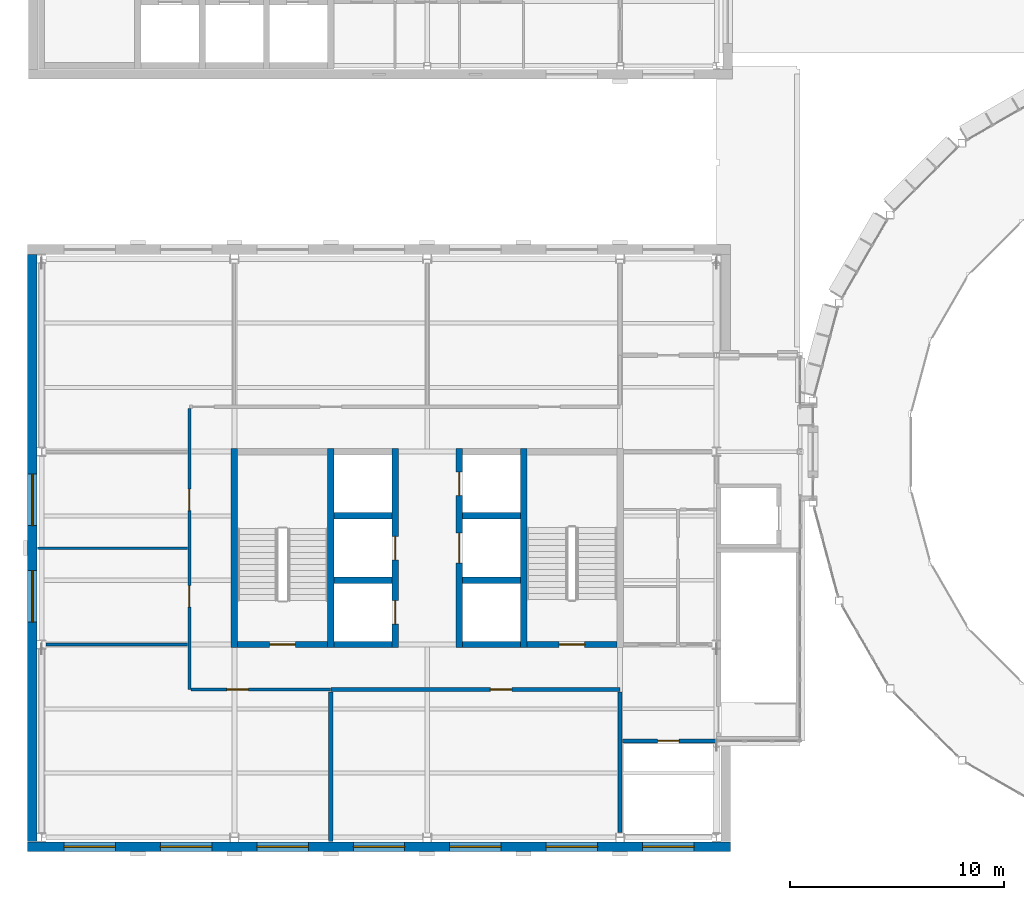
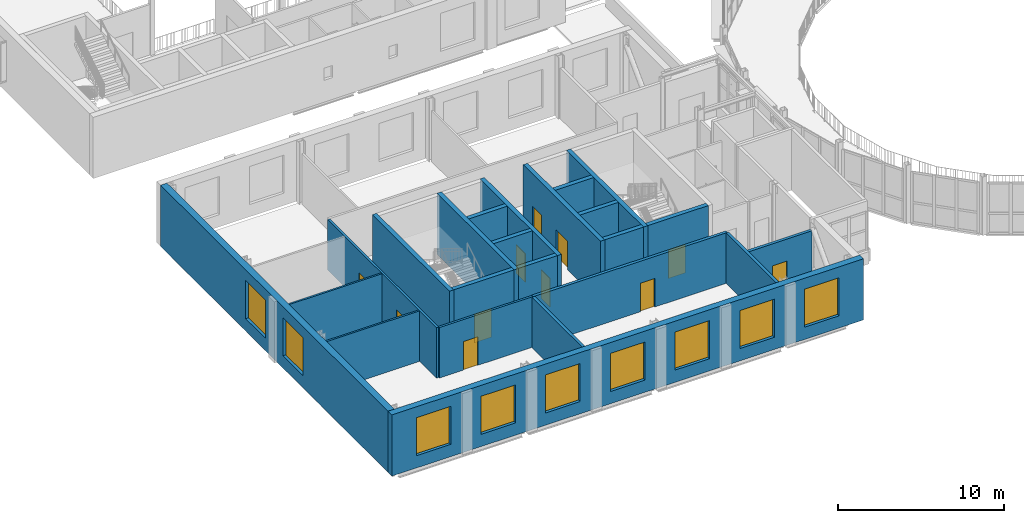
# One storey, part 40 of 74: 23 walls, 11 doors, 9 windows, 20 openings.
"""IFC4 building model written with IfcOpenShell, lengths in metres."""

from ifc_helpers import new_model, si_unit, direction, frame, frame_2d, origin, place, context, subcontext, project, spatial, rectangle, extrude, material, layer, layer_set, type_object, element, fill, save


model = new_model("IFC4")

# Units and contexts
model_context = context("Model", 3, precision=1e-05, world=origin(), true_north=direction((0.0, 1.0)))
body_context = subcontext(model_context, "Body", "Model", "MODEL_VIEW")
ifc_project = project(units=[si_unit("LENGTHUNIT", "METRE"), si_unit("AREAUNIT", "SQUARE_METRE"), si_unit("VOLUMEUNIT", "CUBIC_METRE"), si_unit("PLANEANGLEUNIT", "RADIAN"), si_unit("MASSUNIT", "GRAM", prefix="KILO")], contexts=[model_context])

# Site, building, storey
site_placement = place(None, origin())
site = spatial("IfcSite", under=ifc_project, at=site_placement, CompositionType="ELEMENT")
building_placement = place(site_placement, origin())
building = spatial("IfcBuilding", under=site, at=building_placement, Name="Hortulan Conservatory and Botanical Research Centre", CompositionType="ELEMENT")
storey_placement = place(building_placement, frame((0.0, 0.0, 6.0)))
storey = spatial("IfcBuildingStorey", under=building, at=storey_placement, Name="L01", CompositionType="ELEMENT", Elevation=6.0)

# Walls
ifc_material_1 = material(Name="Fire-rated plasterboard on steel studs", Category="steel")
ifc_layer_1 = layer(ifc_material_1, 0.199951171875)
ifc_layer_set_1 = layer_set([ifc_layer_1], Name="Compartment Partition 200")
wall_type_1 = type_object("IfcWallType", Name="Compartment Partition 200", PredefinedType="PARTITIONING", material=ifc_layer_set_1)
wall_1_placement = place(storey_placement, frame((13.5, -0.200927734375, 0.0), z_axis=(0.0, 0.0, 1.0), x_axis=(0.0, 1.0, 0.0)))
element("IfcWall", 1, at=wall_1_placement, inside=storey, type_object=wall_type_1, Name="Store wall", PredefinedType="PARTITIONING", context=body_context, shape_type="SweptSolid", body=[
    extrude(rectangle(XDim=6.990966796875, YDim=0.199951171875, at=frame_2d((3.49560546875, 0.0))), origin(), (0.0, 0.0, 1.0), 3.718017578125),
])
wall_2_placement = place(storey_placement, frame((27.0, 0.220947265625, 0.0), z_axis=(0.0, 0.0, 1.0), x_axis=(0.0, 1.0, 0.0)))
element("IfcWall", 2, at=wall_2_placement, inside=storey, type_object=wall_type_1, Name="Store wall", PredefinedType="PARTITIONING", context=body_context, shape_type="SweptSolid", body=[
    extrude(rectangle(XDim=6.569091796875, YDim=0.199951171875, at=frame_2d((3.28466796875, 0.0))), origin(), (0.0, 0.0, 1.0), 3.718017578125),
])

# Wall, opening, door
wall_3_placement = place(storey_placement, frame((27.110107421875, 4.5, 0.0), z_axis=(0.0, 0.0, 1.0), x_axis=(1.0, 0.0, 0.0)))
wall_3 = element("IfcWall", 3, at=wall_3_placement, inside=storey, type_object=wall_type_1, Name="Riser wall", PredefinedType="PARTITIONING", context=body_context, shape_type="SweptSolid", body=[
    extrude(rectangle(XDim=4.3798828125, YDim=0.199951171875, at=frame_2d((2.18994140625, 0.0))), origin(), (0.0, 0.0, 1.0), 3.718017578125),
])
opening_1_placement = place(wall_3_placement, frame((1.639892578125, 0.0, 0.0)))
opening_1 = element("IfcOpeningElement", 4, at=opening_1_placement, cuts=wall_3, Name="Opening DT6", PredefinedType="OPENING", context=body_context, shape_type="SweptSolid", body=[
    extrude(rectangle(XDim=1.0, YDim=2.10009765625, at=frame_2d((0.5, 1.050048828125))), frame((0.0, 0.10986328125, 0.0), z_axis=(0.0, -1.0, 0.0), x_axis=(1.0, 0.0, 0.0)), (0.0, 0.0, 1.0), 0.219970703125),
])
ifc_material_2 = material(Name="Steel door leaf, insulated", Category="steel")
door_type_1 = type_object("IfcDoorType", Name="Fire Door 1000x2100 FRL -/120/30", OperationType="NOTDEFINED", PredefinedType="DOOR", material=ifc_material_2)
door_1_placement = place(opening_1_placement, frame((1.0, 0.0, 0.0), z_axis=(0.0, 0.0, 1.0), x_axis=(-1.0, 0.0, 0.0)))
door_1 = element("IfcDoor", 5, at=door_1_placement, inside=storey, type_object=door_type_1, Name="Door DT6 Services Riser", OperationType="SINGLE_SWING_LEFT", OverallHeight=2.10009765625, OverallWidth=1.0, PredefinedType="DOOR", context=body_context, shape_type="SweptSolid", body=[
    extrude(rectangle(XDim=1.0, YDim=2.10009765625, at=frame_2d((0.5, 1.050048828125))), frame((0.0, 0.02490234375, 0.0), z_axis=(0.0, -1.0, 0.0), x_axis=(1.0, 0.0, 0.0)), (0.0, 0.0, 1.0), 0.050048828125),
])
fill(opening_1, door_1)

wall_4_placement = place(storey_placement, frame((13.5, 6.89990234375, 0.0), z_axis=(0.0, 0.0, 1.0), x_axis=(1.0, 0.0, 0.0)))
wall_4 = element("IfcWall", 6, at=wall_4_placement, inside=storey, type_object=wall_type_1, Name="Store wall", PredefinedType="PARTITIONING", context=body_context, shape_type="SweptSolid", body=[
    extrude(rectangle(XDim=13.5, YDim=0.199951171875, at=frame_2d((6.75, 0.0))), origin(), (0.0, 0.0, 1.0), 3.718017578125),
])
opening_2_placement = place(wall_4_placement, frame((7.449951171875, 0.0, 0.0)))
opening_2 = element("IfcOpeningElement", 7, at=opening_2_placement, cuts=wall_4, Name="Opening DT6", PredefinedType="OPENING", context=body_context, shape_type="SweptSolid", body=[
    extrude(rectangle(XDim=1.0, YDim=2.10009765625, at=frame_2d((0.5, 1.050048828125))), frame((0.0, 0.10986328125, 0.0), z_axis=(0.0, -1.0, 0.0), x_axis=(1.0, 0.0, 0.0)), (0.0, 0.0, 1.0), 0.219970703125),
])
door_2_placement = place(opening_2_placement, frame((1.0, 0.0, 0.0), z_axis=(0.0, 0.0, 1.0), x_axis=(-1.0, 0.0, 0.0)))
door_2 = element("IfcDoor", 8, at=door_2_placement, inside=storey, type_object=door_type_1, Name="Door DT6 Herbarium Collections Hall", OperationType="SINGLE_SWING_LEFT", OverallHeight=2.10009765625, OverallWidth=1.0, PredefinedType="DOOR", context=body_context, shape_type="SweptSolid", body=[
    extrude(rectangle(XDim=1.0, YDim=2.10009765625, at=frame_2d((0.5, 1.050048828125))), frame((0.0, 0.02490234375, 0.0), z_axis=(0.0, -1.0, 0.0), x_axis=(1.0, 0.0, 0.0)), (0.0, 0.0, 1.0), 0.050048828125),
])
fill(opening_2, door_2)

# Walls
ifc_material_3 = material(Name="Concrete N50 (50 MPa, AS 3600)", Category="concrete")
ifc_layer_2 = layer(ifc_material_3, 0.300048828125)
ifc_layer_set_2 = layer_set([ifc_layer_2], Name="Core Wall 300 N50 FRL 240/120/120")
wall_type_2 = type_object("IfcWallType", Name="Core Wall 300 N50 FRL 240/120/120", PredefinedType="SHEAR", material=ifc_layer_set_2)
for number, where, z_axis, x_axis, name in (
    (9, (9.0, 8.85009765625, 0.0), (0.0, 0.0, 1.0), (0.0, 1.0, 0.0), "Reinforced concrete shaft wall"),
    (10, (13.5, 8.85009765625, 0.0), (0.0, 0.0, 1.0), (0.0, 1.0, 0.0), "Reinforced concrete shaft wall"),
):
    element("IfcWall", number, at=place(storey_placement, frame(where, z_axis=z_axis, x_axis=x_axis)), inside=storey, type_object=wall_type_2, Name=name, PredefinedType="SHEAR", context=body_context, shape_type="SweptSolid", body=[
        extrude(rectangle(XDim=9.2998046875, YDim=0.300048828125, at=frame_2d((4.64990234375, 0.0))), origin(), (0.0, 0.0, 1.0), 4.5),
    ])

# Wall, openings, doors
wall_5_placement = place(storey_placement, frame((16.5, 8.85009765625, 0.0), z_axis=(0.0, 0.0, 1.0), x_axis=(0.0, 1.0, 0.0)))
wall_5 = element("IfcWall", 11, at=wall_5_placement, inside=storey, type_object=wall_type_2, Name="Reinforced concrete shaft wall", PredefinedType="SHEAR", context=body_context, shape_type="SweptSolid", body=[
    extrude(rectangle(XDim=9.2998046875, YDim=0.300048828125, at=frame_2d((4.64990234375, 0.0))), origin(), (0.0, 0.0, 1.0), 4.5),
])
opening_3_placement = place(wall_5_placement, frame((1.10009765625, 0.0, 0.0)))
opening_3 = element("IfcOpeningElement", 12, at=opening_3_placement, cuts=wall_5, Name="Opening LD1", PredefinedType="OPENING", context=body_context, shape_type="SweptSolid", body=[
    extrude(rectangle(XDim=1.10009765625, YDim=2.10009765625, at=frame_2d((0.550048828125, 1.050048828125))), frame((0.0, 0.159912109375, 0.0), z_axis=(0.0, -1.0, 0.0), x_axis=(1.0, 0.0, 0.0)), (0.0, 0.0, 1.0), 0.320068359375),
])
opening_4_placement = place(wall_5_placement, frame((4.10009765625, 0.0, 0.0)))
opening_4 = element("IfcOpeningElement", 13, at=opening_4_placement, cuts=wall_5, Name="Opening LD1", PredefinedType="OPENING", context=body_context, shape_type="SweptSolid", body=[
    extrude(rectangle(XDim=1.10009765625, YDim=2.10009765625, at=frame_2d((0.550048828125, 1.050048828125))), frame((0.0, 0.159912109375, 0.0), z_axis=(0.0, -1.0, 0.0), x_axis=(1.0, 0.0, 0.0)), (0.0, 0.0, 1.0), 0.320068359375),
])
ifc_material_4 = material(Name="Stainless steel door leaves in steel frame", Category="steel")
door_type_2 = type_object("IfcDoorType", Name="Lift Landing Door 1100x2100", OperationType="DOUBLE_DOOR_SLIDING", PredefinedType="DOOR", material=ifc_material_4)
door_3_placement = place(opening_3_placement, origin())
door_3 = element("IfcDoor", 14, at=door_3_placement, inside=storey, type_object=door_type_2, Name="Lift LP1 landing door L01", OperationType="DOUBLE_DOOR_SLIDING", OverallHeight=2.10009765625, OverallWidth=1.10009765625, PredefinedType="DOOR", context=body_context, shape_type="SweptSolid", body=[
    extrude(rectangle(XDim=1.10009765625, YDim=2.10009765625, at=frame_2d((0.550048828125, 1.050048828125))), frame((0.0, 0.02490234375, 0.0), z_axis=(0.0, -1.0, 0.0), x_axis=(1.0, 0.0, 0.0)), (0.0, 0.0, 1.0), 0.050048828125),
])
fill(opening_3, door_3)
door_4_placement = place(opening_4_placement, origin())
door_4 = element("IfcDoor", 15, at=door_4_placement, inside=storey, type_object=door_type_2, Name="Lift LP2 landing door L01", OperationType="DOUBLE_DOOR_SLIDING", OverallHeight=2.10009765625, OverallWidth=1.10009765625, PredefinedType="DOOR", context=body_context, shape_type="SweptSolid", body=[
    extrude(rectangle(XDim=1.10009765625, YDim=2.10009765625, at=frame_2d((0.550048828125, 1.050048828125))), frame((0.0, 0.02490234375, 0.0), z_axis=(0.0, -1.0, 0.0), x_axis=(1.0, 0.0, 0.0)), (0.0, 0.0, 1.0), 0.050048828125),
])
fill(opening_4, door_4)

wall_6_placement = place(storey_placement, frame((19.5, 8.85009765625, 0.0), z_axis=(0.0, 0.0, 1.0), x_axis=(0.0, 1.0, 0.0)))
wall_6 = element("IfcWall", 16, at=wall_6_placement, inside=storey, type_object=wall_type_2, Name="Reinforced concrete shaft wall", PredefinedType="SHEAR", context=body_context, shape_type="SweptSolid", body=[
    extrude(rectangle(XDim=9.2998046875, YDim=0.300048828125, at=frame_2d((4.64990234375, 0.0))), origin(), (0.0, 0.0, 1.0), 4.5),
])
opening_5_placement = place(wall_6_placement, frame((3.949951171875, 0.0, 0.0)))
opening_5 = element("IfcOpeningElement", 17, at=opening_5_placement, cuts=wall_6, Name="Opening LD2", PredefinedType="OPENING", context=body_context, shape_type="SweptSolid", body=[
    extrude(rectangle(XDim=1.39990234375, YDim=2.10009765625, at=frame_2d((0.699951171875, 1.050048828125))), frame((0.0, 0.159912109375, 0.0), z_axis=(0.0, -1.0, 0.0), x_axis=(1.0, 0.0, 0.0)), (0.0, 0.0, 1.0), 0.320068359375),
])
opening_6_placement = place(wall_6_placement, frame((7.10009765625, 0.0, 0.0)))
opening_6 = element("IfcOpeningElement", 18, at=opening_6_placement, cuts=wall_6, Name="Opening LD1", PredefinedType="OPENING", context=body_context, shape_type="SweptSolid", body=[
    extrude(rectangle(XDim=1.10009765625, YDim=2.10009765625, at=frame_2d((0.550048828125, 1.050048828125))), frame((0.0, 0.159912109375, 0.0), z_axis=(0.0, -1.0, 0.0), x_axis=(1.0, 0.0, 0.0)), (0.0, 0.0, 1.0), 0.320068359375),
])
door_5_placement = place(opening_6_placement, origin())
door_5 = element("IfcDoor", 19, at=door_5_placement, inside=storey, type_object=door_type_2, Name="Lift LF1 landing door L01", OperationType="DOUBLE_DOOR_SLIDING", OverallHeight=2.10009765625, OverallWidth=1.10009765625, PredefinedType="DOOR", context=body_context, shape_type="SweptSolid", body=[
    extrude(rectangle(XDim=1.10009765625, YDim=2.10009765625, at=frame_2d((0.550048828125, 1.050048828125))), frame((0.0, 0.02490234375, 0.0), z_axis=(0.0, -1.0, 0.0), x_axis=(1.0, 0.0, 0.0)), (0.0, 0.0, 1.0), 0.050048828125),
])
fill(opening_6, door_5)
door_type_3 = type_object("IfcDoorType", Name="Lift Landing Door 1400x2100", OperationType="DOUBLE_DOOR_SLIDING", PredefinedType="DOOR", material=ifc_material_4)
door_6_placement = place(opening_5_placement, origin())
door_6 = element("IfcDoor", 20, at=door_6_placement, inside=storey, type_object=door_type_3, Name="Lift LG1 landing door L01", OperationType="DOUBLE_DOOR_SLIDING", OverallHeight=2.10009765625, OverallWidth=1.39990234375, PredefinedType="DOOR", context=body_context, shape_type="SweptSolid", body=[
    extrude(rectangle(XDim=1.39990234375, YDim=2.10009765625, at=frame_2d((0.699951171875, 1.050048828125))), frame((0.0, 0.02490234375, 0.0), z_axis=(0.0, -1.0, 0.0), x_axis=(1.0, 0.0, 0.0)), (0.0, 0.0, 1.0), 0.050048828125),
])
fill(opening_5, door_6)

# Wall
wall_7_placement = place(storey_placement, frame((22.5, 8.85009765625, 0.0), z_axis=(0.0, 0.0, 1.0), x_axis=(0.0, 1.0, 0.0)))
element("IfcWall", 21, at=wall_7_placement, inside=storey, type_object=wall_type_2, Name="Reinforced concrete shaft wall", PredefinedType="SHEAR", context=body_context, shape_type="SweptSolid", body=[
    extrude(rectangle(XDim=9.2998046875, YDim=0.300048828125, at=frame_2d((4.64990234375, 0.0))), origin(), (0.0, 0.0, 1.0), 4.5),
])

# Wall, opening, door
wall_8_placement = place(storey_placement, frame((9.14990234375, 9.0, 0.0), z_axis=(0.0, 0.0, 1.0), x_axis=(1.0, 0.0, 0.0)))
wall_8 = element("IfcWall", 22, at=wall_8_placement, inside=storey, type_object=wall_type_2, Name="Reinforced concrete shaft wall", PredefinedType="SHEAR", context=body_context, shape_type="SweptSolid", body=[
    extrude(rectangle(XDim=4.2001953125, YDim=0.300048828125, at=frame_2d((2.10009765625, 0.0))), origin(), (0.0, 0.0, 1.0), 4.5),
])
opening_7_placement = place(wall_8_placement, frame((1.5, 0.0, 0.0)))
opening_7 = element("IfcOpeningElement", 23, at=opening_7_placement, cuts=wall_8, Name="Opening DT5", PredefinedType="OPENING", context=body_context, shape_type="SweptSolid", body=[
    extrude(rectangle(XDim=1.199951171875, YDim=2.10009765625, at=frame_2d((0.60009765625, 1.050048828125))), frame((0.0, 0.159912109375, 0.0), z_axis=(0.0, -1.0, 0.0), x_axis=(1.0, 0.0, 0.0)), (0.0, 0.0, 1.0), 0.320068359375),
])
door_type_4 = type_object("IfcDoorType", Name="Stair Door 1200x2100 FRL -/120/30", OperationType="NOTDEFINED", PredefinedType="DOOR", material=ifc_material_2)
door_7_placement = place(opening_7_placement, origin())
door_7 = element("IfcDoor", 24, at=door_7_placement, inside=storey, type_object=door_type_4, Name="Door DT5 Exit Stair T1", OperationType="SINGLE_SWING_RIGHT", OverallHeight=2.10009765625, OverallWidth=1.199951171875, PredefinedType="DOOR", context=body_context, shape_type="SweptSolid", body=[
    extrude(rectangle(XDim=1.199951171875, YDim=2.10009765625, at=frame_2d((0.60009765625, 1.050048828125))), frame((0.0, 0.02490234375, 0.0), z_axis=(0.0, -1.0, 0.0), x_axis=(1.0, 0.0, 0.0)), (0.0, 0.0, 1.0), 0.050048828125),
])
fill(opening_7, door_7)

# Walls
for number, where, z_axis, x_axis, name in (
    (25, (13.64990234375, 9.0, 0.0), (0.0, 0.0, 1.0), (1.0, 0.0, 0.0), "Reinforced concrete shaft wall"),
    (26, (19.64990234375, 9.0, 0.0), (0.0, 0.0, 1.0), (1.0, 0.0, 0.0), "Reinforced concrete shaft wall"),
):
    element("IfcWall", number, at=place(storey_placement, frame(where, z_axis=z_axis, x_axis=x_axis)), inside=storey, type_object=wall_type_2, Name=name, PredefinedType="SHEAR", context=body_context, shape_type="SweptSolid", body=[
        extrude(rectangle(XDim=2.7001953125, YDim=0.300048828125, at=frame_2d((1.35009765625, 0.0))), origin(), (0.0, 0.0, 1.0), 4.5),
    ])

# Wall, opening, door
wall_9_placement = place(storey_placement, frame((22.64990234375, 9.0, 0.0), z_axis=(0.0, 0.0, 1.0), x_axis=(1.0, 0.0, 0.0)))
wall_9 = element("IfcWall", 27, at=wall_9_placement, inside=storey, type_object=wall_type_2, Name="Reinforced concrete shaft wall", PredefinedType="SHEAR", context=body_context, shape_type="SweptSolid", body=[
    extrude(rectangle(XDim=4.2001953125, YDim=0.300048828125, at=frame_2d((2.10009765625, 0.0))), origin(), (0.0, 0.0, 1.0), 4.5),
])
opening_8_placement = place(wall_9_placement, frame((1.5, 0.0, 0.0)))
opening_8 = element("IfcOpeningElement", 28, at=opening_8_placement, cuts=wall_9, Name="Opening DT5", PredefinedType="OPENING", context=body_context, shape_type="SweptSolid", body=[
    extrude(rectangle(XDim=1.199951171875, YDim=2.10009765625, at=frame_2d((0.60009765625, 1.050048828125))), frame((0.0, 0.159912109375, 0.0), z_axis=(0.0, -1.0, 0.0), x_axis=(1.0, 0.0, 0.0)), (0.0, 0.0, 1.0), 0.320068359375),
])
door_8_placement = place(opening_8_placement, origin())
door_8 = element("IfcDoor", 29, at=door_8_placement, inside=storey, type_object=door_type_4, Name="Door DT5 Exit Stair T2", OperationType="SINGLE_SWING_LEFT", OverallHeight=2.10009765625, OverallWidth=1.199951171875, PredefinedType="DOOR", context=body_context, shape_type="SweptSolid", body=[
    extrude(rectangle(XDim=1.199951171875, YDim=2.10009765625, at=frame_2d((0.60009765625, 1.050048828125))), frame((0.0, 0.02490234375, 0.0), z_axis=(0.0, -1.0, 0.0), x_axis=(1.0, 0.0, 0.0)), (0.0, 0.0, 1.0), 0.050048828125),
])
fill(opening_8, door_8)

# Walls
for number, where, z_axis, x_axis, name in (
    (30, (13.64990234375, 12.0, 0.0), (0.0, 0.0, 1.0), (1.0, 0.0, 0.0), "Reinforced concrete shaft wall"),
    (31, (19.64990234375, 12.0, 0.0), (0.0, 0.0, 1.0), (1.0, 0.0, 0.0), "Reinforced concrete shaft wall"),
    (32, (13.64990234375, 15.0, 0.0), (0.0, 0.0, 1.0), (1.0, 0.0, 0.0), "Reinforced concrete shaft wall"),
    (33, (19.64990234375, 15.0, 0.0), (0.0, 0.0, 1.0), (1.0, 0.0, 0.0), "Reinforced concrete shaft wall"),
):
    element("IfcWall", number, at=place(storey_placement, frame(where, z_axis=z_axis, x_axis=x_axis)), inside=storey, type_object=wall_type_2, Name=name, PredefinedType="SHEAR", context=body_context, shape_type="SweptSolid", body=[
        extrude(rectangle(XDim=2.7001953125, YDim=0.300048828125, at=frame_2d((1.35009765625, 0.0))), origin(), (0.0, 0.0, 1.0), 4.5),
    ])

# Wall, openings, doors
ifc_material_5 = material(Name="Plasterboard on steel studs", Category="steel")
ifc_layer_3 = layer(ifc_material_5, 0.14990234375)
ifc_layer_set_3 = layer_set([ifc_layer_3], Name="Corridor Partition 150")
wall_type_3 = type_object("IfcWallType", Name="Corridor Partition 150", PredefinedType="PARTITIONING", material=ifc_layer_set_3)
wall_10_placement = place(storey_placement, frame((6.89990234375, 6.89990234375, 0.0), z_axis=(0.0, 0.0, 1.0), x_axis=(0.0, 1.0, 0.0)))
wall_10 = element("IfcWall", 34, at=wall_10_placement, inside=storey, type_object=wall_type_3, Name="Corridor partition", PredefinedType="PARTITIONING", context=body_context, shape_type="SweptSolid", body=[
    extrude(rectangle(XDim=13.114990234375, YDim=0.14990234375, at=frame_2d((6.5576171875, 0.0))), origin(), (0.0, 0.0, 1.0), 3.718017578125),
])
opening_9_placement = place(wall_10_placement, frame((3.85009765625, 0.0, 0.0)))
opening_9 = element("IfcOpeningElement", 35, at=opening_9_placement, cuts=wall_10, Name="Opening DT1", PredefinedType="OPENING", context=body_context, shape_type="SweptSolid", body=[
    extrude(rectangle(XDim=1.0, YDim=2.10009765625, at=frame_2d((0.5, 1.050048828125))), frame((0.0, 0.0849609375, 0.0), z_axis=(0.0, -1.0, 0.0), x_axis=(1.0, 0.0, 0.0)), (0.0, 0.0, 1.0), 0.169921875),
])
opening_10_placement = place(wall_10_placement, frame((8.35009765625, 0.0, 0.0)))
opening_10 = element("IfcOpeningElement", 36, at=opening_10_placement, cuts=wall_10, Name="Opening DT1", PredefinedType="OPENING", context=body_context, shape_type="SweptSolid", body=[
    extrude(rectangle(XDim=1.0, YDim=2.10009765625, at=frame_2d((0.5, 1.050048828125))), frame((0.0, 0.0849609375, 0.0), z_axis=(0.0, -1.0, 0.0), x_axis=(1.0, 0.0, 0.0)), (0.0, 0.0, 1.0), 0.169921875),
])
ifc_material_6 = material(Name="Timber door leaf in timber frame", Category="wood")
door_type_5 = type_object("IfcDoorType", Name="Single Door 1000x2100", OperationType="NOTDEFINED", PredefinedType="DOOR", material=ifc_material_6)
door_9_placement = place(opening_9_placement, origin())
door_9 = element("IfcDoor", 37, at=door_9_placement, inside=storey, type_object=door_type_5, Name="Door DT1 Conservation Workroom", OperationType="SINGLE_SWING_RIGHT", OverallHeight=2.10009765625, OverallWidth=1.0, PredefinedType="DOOR", context=body_context, shape_type="SweptSolid", body=[
    extrude(rectangle(XDim=1.0, YDim=2.10009765625, at=frame_2d((0.5, 1.050048828125))), frame((0.0, 0.02490234375, 0.0), z_axis=(0.0, -1.0, 0.0), x_axis=(1.0, 0.0, 0.0)), (0.0, 0.0, 1.0), 0.050048828125),
])
fill(opening_9, door_9)
door_10_placement = place(opening_10_placement, origin())
door_10 = element("IfcDoor", 38, at=door_10_placement, inside=storey, type_object=door_type_5, Name="Door DT1 Curator's Office", OperationType="SINGLE_SWING_LEFT", OverallHeight=2.10009765625, OverallWidth=1.0, PredefinedType="DOOR", context=body_context, shape_type="SweptSolid", body=[
    extrude(rectangle(XDim=1.0, YDim=2.10009765625, at=frame_2d((0.5, 1.050048828125))), frame((0.0, 0.02490234375, 0.0), z_axis=(0.0, -1.0, 0.0), x_axis=(1.0, 0.0, 0.0)), (0.0, 0.0, 1.0), 0.050048828125),
])
fill(opening_10, door_10)

# Wall, opening, door
wall_11_placement = place(storey_placement, frame((6.985107421875, 6.89990234375, 0.0), z_axis=(0.0, 0.0, 1.0), x_axis=(1.0, 0.0, 0.0)))
wall_11 = element("IfcWall", 39, at=wall_11_placement, inside=storey, type_object=wall_type_3, Name="Corridor partition", PredefinedType="PARTITIONING", context=body_context, shape_type="SweptSolid", body=[
    extrude(rectangle(XDim=6.5048828125, YDim=0.14990234375, at=frame_2d((3.25244140625, 0.0))), origin(), (0.0, 0.0, 1.0), 3.718017578125),
])
opening_11_placement = place(wall_11_placement, frame((1.6650390625, 0.0, 0.0)))
opening_11 = element("IfcOpeningElement", 40, at=opening_11_placement, cuts=wall_11, Name="Opening DT1", PredefinedType="OPENING", context=body_context, shape_type="SweptSolid", body=[
    extrude(rectangle(XDim=1.0, YDim=2.10009765625, at=frame_2d((0.5, 1.050048828125))), frame((0.0, 0.0849609375, 0.0), z_axis=(0.0, -1.0, 0.0), x_axis=(1.0, 0.0, 0.0)), (0.0, 0.0, 1.0), 0.169921875),
])
door_11_placement = place(opening_11_placement, frame((1.0, 0.0, 0.0), z_axis=(0.0, 0.0, 1.0), x_axis=(-1.0, 0.0, 0.0)))
door_11 = element("IfcDoor", 41, at=door_11_placement, inside=storey, type_object=door_type_5, Name="Door DT1 Botanical Illustration Studio", OperationType="SINGLE_SWING_RIGHT", OverallHeight=2.10009765625, OverallWidth=1.0, PredefinedType="DOOR", context=body_context, shape_type="SweptSolid", body=[
    extrude(rectangle(XDim=1.0, YDim=2.10009765625, at=frame_2d((0.5, 1.050048828125))), frame((0.0, 0.02490234375, 0.0), z_axis=(0.0, -1.0, 0.0), x_axis=(1.0, 0.0, 0.0)), (0.0, 0.0, 1.0), 0.050048828125),
])
fill(opening_11, door_11)

# Walls
ifc_layer_4 = layer(ifc_material_5, 0.125)
ifc_layer_set_4 = layer_set([ifc_layer_4], Name="Partition 125")
wall_type_4 = type_object("IfcWallType", Name="Partition 125", PredefinedType="PARTITIONING", material=ifc_layer_set_4)
wall_12_placement = place(storey_placement, frame((0.2099609375, 9.0, 0.0), z_axis=(0.0, 0.0, 1.0), x_axis=(1.0, 0.0, 0.0)))
element("IfcWall", 42, at=wall_12_placement, inside=storey, type_object=wall_type_4, Name="Partition", PredefinedType="PARTITIONING", context=body_context, shape_type="SweptSolid", body=[
    extrude(rectangle(XDim=6.60498046875, YDim=0.125, at=frame_2d((3.302490234375, 0.0))), origin(), (0.0, 0.0, 1.0), 3.718017578125),
])
wall_13_placement = place(storey_placement, frame((-0.18994140625, 13.5, 0.0), z_axis=(0.0, 0.0, 1.0), x_axis=(1.0, 0.0, 0.0)))
element("IfcWall", 43, at=wall_13_placement, inside=storey, type_object=wall_type_4, Name="Partition", PredefinedType="PARTITIONING", context=body_context, shape_type="SweptSolid", body=[
    extrude(rectangle(XDim=7.0048828125, YDim=0.125, at=frame_2d((3.50244140625, 0.0))), origin(), (0.0, 0.0, 1.0), 3.718017578125),
])

# Wall, openings, windows
ifc_material_7 = material(Name="Sandstone masonry (Hawkesbury yellow block)", Category="masonry")
ifc_layer_5 = layer(ifc_material_7, 0.449951171875)
ifc_layer_set_5 = layer_set([ifc_layer_5], Name="Sandstone Masonry Cavity Wall 450")
wall_type_5 = type_object("IfcWallType", Name="Sandstone Masonry Cavity Wall 450", PredefinedType="STANDARD", material=ifc_layer_set_5)
wall_14_placement = place(storey_placement, frame((32.14990234375, -0.43603515625, 0.0), z_axis=(0.0, 0.0, 1.0), x_axis=(-1.0, 0.0, 0.0)))
wall_14 = element("IfcWall", 44, at=wall_14_placement, inside=storey, type_object=wall_type_5, Name="E-EW-TW-L01-S1", PredefinedType="STANDARD", context=body_context, shape_type="SweptSolid", body=[
    extrude(rectangle(XDim=32.7998046875, YDim=0.449951171875, at=frame_2d((16.39990234375, 0.0))), origin(), (0.0, 0.0, 1.0), 4.5),
])
opening_12_placement = place(wall_14_placement, frame((28.699951171875, 0.0, 0.89990234375)))
opening_12 = element("IfcOpeningElement", 45, at=opening_12_placement, cuts=wall_14, Name="Opening W2", PredefinedType="OPENING", context=body_context, shape_type="SweptSolid", body=[
    extrude(rectangle(XDim=2.39990234375, YDim=2.800048828125, at=frame_2d((1.199951171875, 1.39990234375))), frame((0.0, 0.23486328125, 0.0), z_axis=(0.0, -1.0, 0.0), x_axis=(1.0, 0.0, 0.0)), (0.0, 0.0, 1.0), 0.469970703125),
])
opening_13_placement = place(wall_14_placement, frame((24.199951171875, 0.0, 0.89990234375)))
opening_13 = element("IfcOpeningElement", 46, at=opening_13_placement, cuts=wall_14, Name="Opening W2", PredefinedType="OPENING", context=body_context, shape_type="SweptSolid", body=[
    extrude(rectangle(XDim=2.39990234375, YDim=2.800048828125, at=frame_2d((1.199951171875, 1.39990234375))), frame((0.0, 0.23486328125, 0.0), z_axis=(0.0, -1.0, 0.0), x_axis=(1.0, 0.0, 0.0)), (0.0, 0.0, 1.0), 0.469970703125),
])
opening_14_placement = place(wall_14_placement, frame((19.699951171875, 0.0, 0.89990234375)))
opening_14 = element("IfcOpeningElement", 47, at=opening_14_placement, cuts=wall_14, Name="Opening W2", PredefinedType="OPENING", context=body_context, shape_type="SweptSolid", body=[
    extrude(rectangle(XDim=2.39990234375, YDim=2.800048828125, at=frame_2d((1.199951171875, 1.39990234375))), frame((0.0, 0.23486328125, 0.0), z_axis=(0.0, -1.0, 0.0), x_axis=(1.0, 0.0, 0.0)), (0.0, 0.0, 1.0), 0.469970703125),
])
opening_15_placement = place(wall_14_placement, frame((15.199951171875, 0.0, 0.89990234375)))
opening_15 = element("IfcOpeningElement", 48, at=opening_15_placement, cuts=wall_14, Name="Opening W2", PredefinedType="OPENING", context=body_context, shape_type="SweptSolid", body=[
    extrude(rectangle(XDim=2.39990234375, YDim=2.800048828125, at=frame_2d((1.199951171875, 1.39990234375))), frame((0.0, 0.23486328125, 0.0), z_axis=(0.0, -1.0, 0.0), x_axis=(1.0, 0.0, 0.0)), (0.0, 0.0, 1.0), 0.469970703125),
])
opening_16_placement = place(wall_14_placement, frame((10.699951171875, 0.0, 0.89990234375)))
opening_16 = element("IfcOpeningElement", 49, at=opening_16_placement, cuts=wall_14, Name="Opening W2", PredefinedType="OPENING", context=body_context, shape_type="SweptSolid", body=[
    extrude(rectangle(XDim=2.39990234375, YDim=2.800048828125, at=frame_2d((1.199951171875, 1.39990234375))), frame((0.0, 0.23486328125, 0.0), z_axis=(0.0, -1.0, 0.0), x_axis=(1.0, 0.0, 0.0)), (0.0, 0.0, 1.0), 0.469970703125),
])
opening_17_placement = place(wall_14_placement, frame((6.199951171875, 0.0, 0.89990234375)))
opening_17 = element("IfcOpeningElement", 50, at=opening_17_placement, cuts=wall_14, Name="Opening W2", PredefinedType="OPENING", context=body_context, shape_type="SweptSolid", body=[
    extrude(rectangle(XDim=2.39990234375, YDim=2.800048828125, at=frame_2d((1.199951171875, 1.39990234375))), frame((0.0, 0.23486328125, 0.0), z_axis=(0.0, -1.0, 0.0), x_axis=(1.0, 0.0, 0.0)), (0.0, 0.0, 1.0), 0.469970703125),
])
opening_18_placement = place(wall_14_placement, frame((1.699951171875, 0.0, 0.89990234375)))
opening_18 = element("IfcOpeningElement", 51, at=opening_18_placement, cuts=wall_14, Name="Opening W2", PredefinedType="OPENING", context=body_context, shape_type="SweptSolid", body=[
    extrude(rectangle(XDim=2.39990234375, YDim=2.800048828125, at=frame_2d((1.199951171875, 1.39990234375))), frame((0.0, 0.23486328125, 0.0), z_axis=(0.0, -1.0, 0.0), x_axis=(1.0, 0.0, 0.0)), (0.0, 0.0, 1.0), 0.469970703125),
])
ifc_material_8 = material(Name="Bronze-finished aluminium frame with low-e laminated double glazing", Category="aluminium")
window_type = type_object("IfcWindowType", Name="Sandstone Window 2400x2800", PartitioningType="SINGLE_PANEL", PredefinedType="WINDOW", material=ifc_material_8)
window_1_placement = place(opening_12_placement, origin())
window_1 = element("IfcWindow", 52, at=window_1_placement, inside=storey, type_object=window_type, Name="Sandstone window", OverallHeight=2.800048828125, OverallWidth=2.39990234375, PartitioningType="SINGLE_PANEL", PredefinedType="WINDOW", context=body_context, shape_type="SweptSolid", body=[
    extrude(rectangle(XDim=2.39990234375, YDim=2.800048828125, at=frame_2d((1.199951171875, 1.39990234375))), frame((0.0, 0.030029296875, 0.0), z_axis=(0.0, -1.0, 0.0), x_axis=(1.0, 0.0, 0.0)), (0.0, 0.0, 1.0), 0.06005859375),
])
fill(opening_12, window_1)
window_2_placement = place(opening_13_placement, origin())
window_2 = element("IfcWindow", 53, at=window_2_placement, inside=storey, type_object=window_type, Name="Sandstone window", OverallHeight=2.800048828125, OverallWidth=2.39990234375, PartitioningType="SINGLE_PANEL", PredefinedType="WINDOW", context=body_context, shape_type="SweptSolid", body=[
    extrude(rectangle(XDim=2.39990234375, YDim=2.800048828125, at=frame_2d((1.199951171875, 1.39990234375))), frame((0.0, 0.030029296875, 0.0), z_axis=(0.0, -1.0, 0.0), x_axis=(1.0, 0.0, 0.0)), (0.0, 0.0, 1.0), 0.06005859375),
])
fill(opening_13, window_2)
window_3_placement = place(opening_14_placement, origin())
window_3 = element("IfcWindow", 54, at=window_3_placement, inside=storey, type_object=window_type, Name="Sandstone window", OverallHeight=2.800048828125, OverallWidth=2.39990234375, PartitioningType="SINGLE_PANEL", PredefinedType="WINDOW", context=body_context, shape_type="SweptSolid", body=[
    extrude(rectangle(XDim=2.39990234375, YDim=2.800048828125, at=frame_2d((1.199951171875, 1.39990234375))), frame((0.0, 0.030029296875, 0.0), z_axis=(0.0, -1.0, 0.0), x_axis=(1.0, 0.0, 0.0)), (0.0, 0.0, 1.0), 0.06005859375),
])
fill(opening_14, window_3)
window_4_placement = place(opening_15_placement, origin())
window_4 = element("IfcWindow", 55, at=window_4_placement, inside=storey, type_object=window_type, Name="Sandstone window", OverallHeight=2.800048828125, OverallWidth=2.39990234375, PartitioningType="SINGLE_PANEL", PredefinedType="WINDOW", context=body_context, shape_type="SweptSolid", body=[
    extrude(rectangle(XDim=2.39990234375, YDim=2.800048828125, at=frame_2d((1.199951171875, 1.39990234375))), frame((0.0, 0.030029296875, 0.0), z_axis=(0.0, -1.0, 0.0), x_axis=(1.0, 0.0, 0.0)), (0.0, 0.0, 1.0), 0.06005859375),
])
fill(opening_15, window_4)
window_5_placement = place(opening_16_placement, origin())
window_5 = element("IfcWindow", 56, at=window_5_placement, inside=storey, type_object=window_type, Name="Sandstone window", OverallHeight=2.800048828125, OverallWidth=2.39990234375, PartitioningType="SINGLE_PANEL", PredefinedType="WINDOW", context=body_context, shape_type="SweptSolid", body=[
    extrude(rectangle(XDim=2.39990234375, YDim=2.800048828125, at=frame_2d((1.199951171875, 1.39990234375))), frame((0.0, 0.030029296875, 0.0), z_axis=(0.0, -1.0, 0.0), x_axis=(1.0, 0.0, 0.0)), (0.0, 0.0, 1.0), 0.06005859375),
])
fill(opening_16, window_5)
window_6_placement = place(opening_17_placement, origin())
window_6 = element("IfcWindow", 57, at=window_6_placement, inside=storey, type_object=window_type, Name="Sandstone window", OverallHeight=2.800048828125, OverallWidth=2.39990234375, PartitioningType="SINGLE_PANEL", PredefinedType="WINDOW", context=body_context, shape_type="SweptSolid", body=[
    extrude(rectangle(XDim=2.39990234375, YDim=2.800048828125, at=frame_2d((1.199951171875, 1.39990234375))), frame((0.0, 0.030029296875, 0.0), z_axis=(0.0, -1.0, 0.0), x_axis=(1.0, 0.0, 0.0)), (0.0, 0.0, 1.0), 0.06005859375),
])
fill(opening_17, window_6)
window_7_placement = place(opening_18_placement, origin())
window_7 = element("IfcWindow", 58, at=window_7_placement, inside=storey, type_object=window_type, Name="Sandstone window", OverallHeight=2.800048828125, OverallWidth=2.39990234375, PartitioningType="SINGLE_PANEL", PredefinedType="WINDOW", context=body_context, shape_type="SweptSolid", body=[
    extrude(rectangle(XDim=2.39990234375, YDim=2.800048828125, at=frame_2d((1.199951171875, 1.39990234375))), frame((0.0, 0.030029296875, 0.0), z_axis=(0.0, -1.0, 0.0), x_axis=(1.0, 0.0, 0.0)), (0.0, 0.0, 1.0), 0.06005859375),
])
fill(opening_18, window_7)

wall_15_placement = place(storey_placement, frame((-0.425048828125, -0.199951171875, 0.0), z_axis=(0.0, 0.0, 1.0), x_axis=(0.0, 1.0, 0.0)))
wall_15 = element("IfcWall", 59, at=wall_15_placement, inside=storey, type_object=wall_type_5, Name="E-EW-TW-L01-W2", PredefinedType="STANDARD", context=body_context, shape_type="SweptSolid", body=[
    extrude(rectangle(XDim=27.39990234375, YDim=0.449951171875, at=frame_2d((13.699951171875, 0.0))), origin(), (0.0, 0.0, 1.0), 4.5),
])
opening_19_placement = place(wall_15_placement, frame((10.25, 0.0, 0.89990234375)))
opening_19 = element("IfcOpeningElement", 60, at=opening_19_placement, cuts=wall_15, Name="Opening W2", PredefinedType="OPENING", context=body_context, shape_type="SweptSolid", body=[
    extrude(rectangle(XDim=2.39990234375, YDim=2.800048828125, at=frame_2d((1.199951171875, 1.39990234375))), frame((0.0, 0.23486328125, 0.0), z_axis=(0.0, -1.0, 0.0), x_axis=(1.0, 0.0, 0.0)), (0.0, 0.0, 1.0), 0.469970703125),
])
opening_20_placement = place(wall_15_placement, frame((14.75, 0.0, 0.89990234375)))
opening_20 = element("IfcOpeningElement", 61, at=opening_20_placement, cuts=wall_15, Name="Opening W2", PredefinedType="OPENING", context=body_context, shape_type="SweptSolid", body=[
    extrude(rectangle(XDim=2.39990234375, YDim=2.800048828125, at=frame_2d((1.199951171875, 1.39990234375))), frame((0.0, 0.23486328125, 0.0), z_axis=(0.0, -1.0, 0.0), x_axis=(1.0, 0.0, 0.0)), (0.0, 0.0, 1.0), 0.469970703125),
])
window_8_placement = place(opening_19_placement, origin())
window_8 = element("IfcWindow", 62, at=window_8_placement, inside=storey, type_object=window_type, Name="Sandstone window", OverallHeight=2.800048828125, OverallWidth=2.39990234375, PartitioningType="SINGLE_PANEL", PredefinedType="WINDOW", context=body_context, shape_type="SweptSolid", body=[
    extrude(rectangle(XDim=2.39990234375, YDim=2.800048828125, at=frame_2d((1.199951171875, 1.39990234375))), frame((0.0, 0.030029296875, 0.0), z_axis=(0.0, -1.0, 0.0), x_axis=(1.0, 0.0, 0.0)), (0.0, 0.0, 1.0), 0.06005859375),
])
fill(opening_19, window_8)
window_9_placement = place(opening_20_placement, origin())
window_9 = element("IfcWindow", 63, at=window_9_placement, inside=storey, type_object=window_type, Name="Sandstone window", OverallHeight=2.800048828125, OverallWidth=2.39990234375, PartitioningType="SINGLE_PANEL", PredefinedType="WINDOW", context=body_context, shape_type="SweptSolid", body=[
    extrude(rectangle(XDim=2.39990234375, YDim=2.800048828125, at=frame_2d((1.199951171875, 1.39990234375))), frame((0.0, 0.030029296875, 0.0), z_axis=(0.0, -1.0, 0.0), x_axis=(1.0, 0.0, 0.0)), (0.0, 0.0, 1.0), 0.06005859375),
])
fill(opening_20, window_9)

save(model, "model.ifc")
